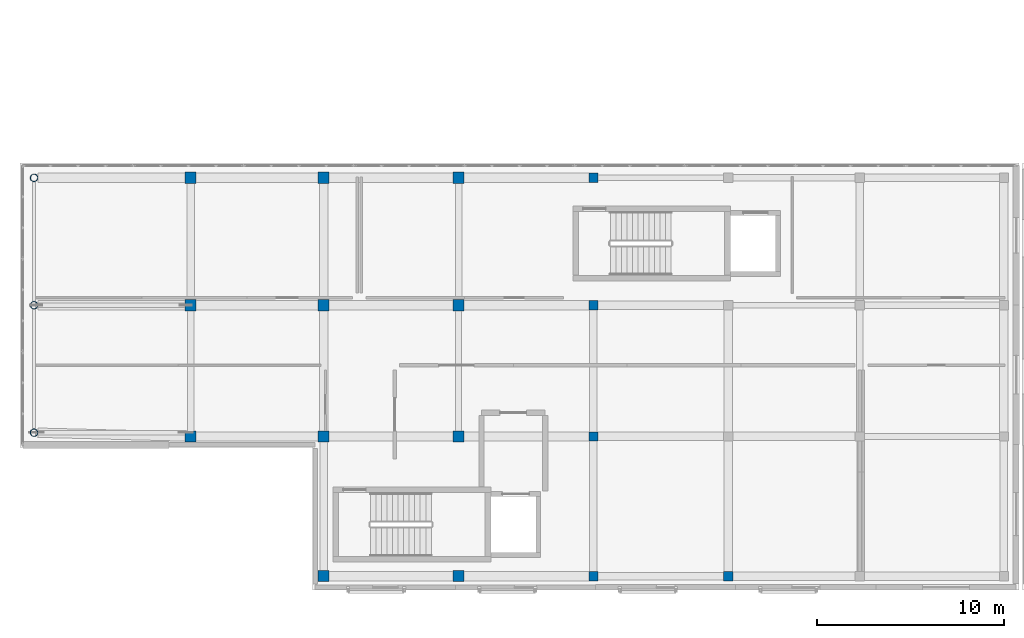
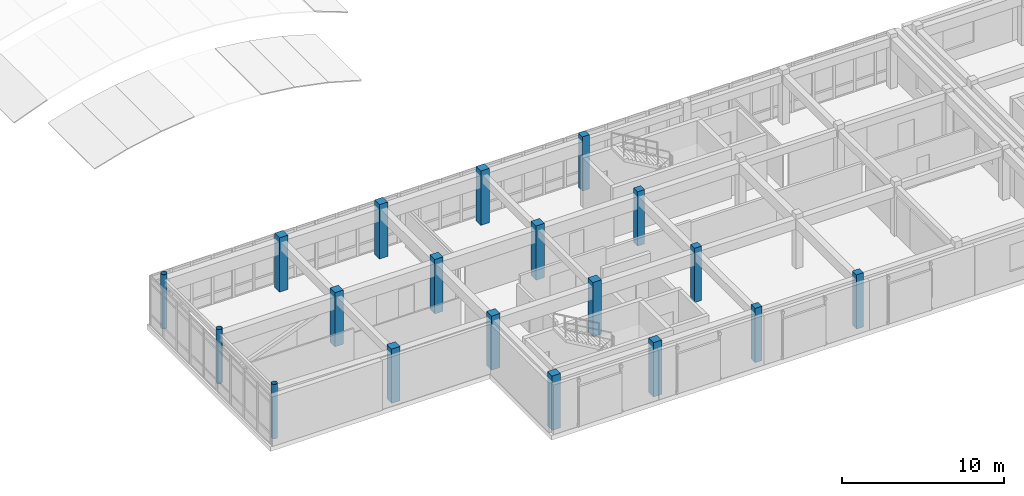
# One storey, part 1 of 91: 19 columns.
"""IFC4 building model written with IfcOpenShell, lengths in metres."""

from ifc_helpers import new_model, si_unit, direction, frame, origin, origin_2d, place, context, subcontext, project, spatial, rectangle, hollow_circle, extrude, material, material_profile, profile_set, type_object, element, save


model = new_model("IFC4")

# Units and contexts
model_context = context("Model", 3, precision=1e-05, world=origin(), true_north=direction((0.0, 1.0)))
body_context = subcontext(model_context, "Body", "Model", "MODEL_VIEW")
ifc_project = project(units=[si_unit("LENGTHUNIT", "METRE"), si_unit("AREAUNIT", "SQUARE_METRE"), si_unit("VOLUMEUNIT", "CUBIC_METRE"), si_unit("PLANEANGLEUNIT", "RADIAN"), si_unit("MASSUNIT", "GRAM", prefix="KILO")], contexts=[model_context])

# Site, building, storey
site_placement = place(None, origin())
site = spatial("IfcSite", under=ifc_project, at=site_placement, CompositionType="ELEMENT")
building_placement = place(site_placement, origin())
building = spatial("IfcBuilding", under=site, at=building_placement, Name="Valcora Specialist Clinic", CompositionType="ELEMENT")
storey_placement = place(building_placement, frame((0.0, 0.0, 13.60009765625)))
storey = spatial("IfcBuildingStorey", under=building, at=storey_placement, Name="L03", CompositionType="ELEMENT", Elevation=13.60009765625)

# Columns
ifc_material_1 = material(Name="Steel ASTM A500 Grade C", Category="steel")
ifc_material_profile_1 = material_profile(ifc_material_1, hollow_circle(Radius=0.202880859375, WallThickness=0.01611328125, at=origin_2d()), Name="ST-CHS-406X16")
ifc_profile_set_1 = profile_set([ifc_material_profile_1], Name="Steel ASTM A500 Grade C")
column_type_1 = type_object("IfcColumnType", Name="TY-COL-CHS406", PredefinedType="COLUMN", material=ifc_profile_set_1)
for number, where, z_axis, x_axis, name in (
    (1, (0.75, 8.39990234375, 0.0), (0.0, 0.0, 1.0), (1.0, 0.0, 0.0), "Column COL-L03-0540"),
    (2, (0.75, 15.199951171875, 0.0), (0.0, 0.0, 1.0), (1.0, 0.0, 0.0), "Column COL-L03-0547"),
    (3, (0.75, 22.0, 0.0), (0.0, 0.0, 1.0), (1.0, 0.0, 0.0), "Column COL-L03-0554"),
):
    element("IfcColumn", number, at=place(storey_placement, frame(where, z_axis=z_axis, x_axis=x_axis)), inside=storey, type_object=column_type_1, Name=name, PredefinedType="COLUMN", context=body_context, shape_type="SweptSolid", body=[
        extrude(hollow_circle(Radius=0.202880859375, WallThickness=0.01611328125, at=origin_2d()), origin(), (0.0, 0.0, 1.0), 4.079833984375),
    ])
ifc_material_2 = material(Name="Concrete C40/50", Category="concrete")
ifc_material_profile_2 = material_profile(ifc_material_2, rectangle(XDim=0.5, YDim=0.5, at=origin_2d()), Name="RC-COL-500X500")
ifc_profile_set_2 = profile_set([ifc_material_profile_2], Name="Concrete C40/50")
column_type_2 = type_object("IfcColumnType", Name="TY-COL-RC500", PredefinedType="COLUMN", material=ifc_profile_set_2)
for number, where, z_axis, x_axis, name in (
    (4, (30.60009765625, 0.75, 0.0), (0.0, 0.0, 1.0), (1.0, 0.0, 0.0), "Column COL-L03-0638"),
    (5, (30.60009765625, 8.199951171875, 0.0), (0.0, 0.0, 1.0), (1.0, 0.0, 0.0), "Column COL-L03-0645"),
    (6, (30.60009765625, 15.199951171875, 0.0), (0.0, 0.0, 1.0), (1.0, 0.0, 0.0), "Column COL-L03-0652"),
    (7, (30.60009765625, 22.0, 0.0), (0.0, 0.0, 1.0), (1.0, 0.0, 0.0), "Column COL-L03-0659"),
    (8, (37.800048828125, 0.75, 0.0), (0.0, 0.0, 1.0), (1.0, 0.0, 0.0), "Column COL-L03-0666"),
):
    element("IfcColumn", number, at=place(storey_placement, frame(where, z_axis=z_axis, x_axis=x_axis)), inside=storey, type_object=column_type_2, Name=name, PredefinedType="COLUMN", context=body_context, shape_type="SweptSolid", body=[
        extrude(rectangle(XDim=0.5, YDim=0.5, at=origin_2d()), origin(), (0.0, 0.0, 1.0), 4.079833984375),
    ])
ifc_material_profile_3 = material_profile(ifc_material_2, rectangle(XDim=0.60009765625, YDim=0.60009765625, at=origin_2d()), Name="RC-COL-600X600")
ifc_profile_set_3 = profile_set([ifc_material_profile_3], Name="Concrete C40/50")
column_type_3 = type_object("IfcColumnType", Name="TY-COL-RC600", PredefinedType="COLUMN", material=ifc_profile_set_3)
for number, where, z_axis, x_axis, name in (
    (9, (9.10009765625, 8.199951171875, 0.0), (0.0, 0.0, 1.0), (1.0, 0.0, 0.0), "Column COL-L03-0561"),
    (10, (9.10009765625, 15.199951171875, 0.0), (0.0, 0.0, 1.0), (1.0, 0.0, 0.0), "Column COL-L03-0568"),
    (11, (9.10009765625, 22.0, 0.0), (0.0, 0.0, 1.0), (1.0, 0.0, 0.0), "Column COL-L03-0575"),
    (12, (16.199951171875, 0.75, 0.0), (0.0, 0.0, 1.0), (1.0, 0.0, 0.0), "Column COL-L03-0582"),
    (13, (16.199951171875, 8.199951171875, 0.0), (0.0, 0.0, 1.0), (1.0, 0.0, 0.0), "Column COL-L03-0589"),
    (14, (16.199951171875, 15.199951171875, 0.0), (0.0, 0.0, 1.0), (1.0, 0.0, 0.0), "Column COL-L03-0596"),
    (15, (16.199951171875, 22.0, 0.0), (0.0, 0.0, 1.0), (1.0, 0.0, 0.0), "Column COL-L03-0603"),
    (16, (23.39990234375, 0.75, 0.0), (0.0, 0.0, 1.0), (1.0, 0.0, 0.0), "Column COL-L03-0610"),
    (17, (23.39990234375, 8.199951171875, 0.0), (0.0, 0.0, 1.0), (1.0, 0.0, 0.0), "Column COL-L03-0617"),
    (18, (23.39990234375, 15.199951171875, 0.0), (0.0, 0.0, 1.0), (1.0, 0.0, 0.0), "Column COL-L03-0624"),
    (19, (23.39990234375, 22.0, 0.0), (0.0, 0.0, 1.0), (1.0, 0.0, 0.0), "Column COL-L03-0631"),
):
    element("IfcColumn", number, at=place(storey_placement, frame(where, z_axis=z_axis, x_axis=x_axis)), inside=storey, type_object=column_type_3, Name=name, PredefinedType="COLUMN", context=body_context, shape_type="SweptSolid", body=[
        extrude(rectangle(XDim=0.60009765625, YDim=0.60009765625, at=origin_2d()), origin(), (0.0, 0.0, 1.0), 4.079833984375),
    ])

save(model, "model.ifc")
